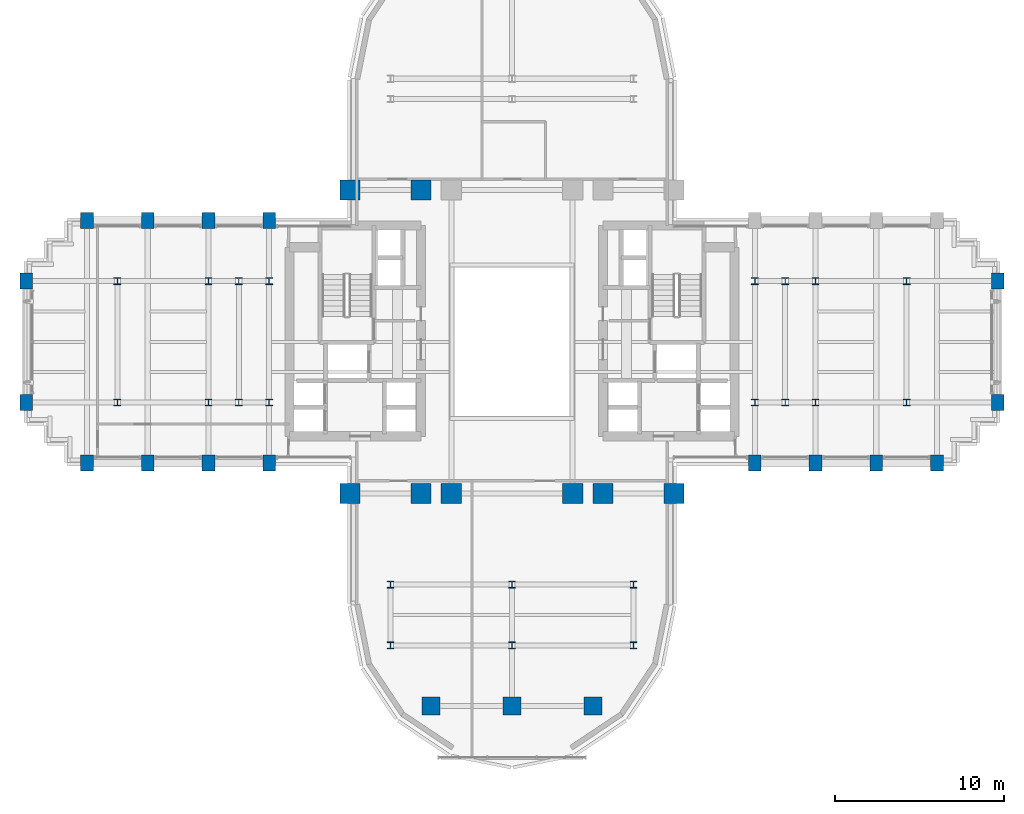
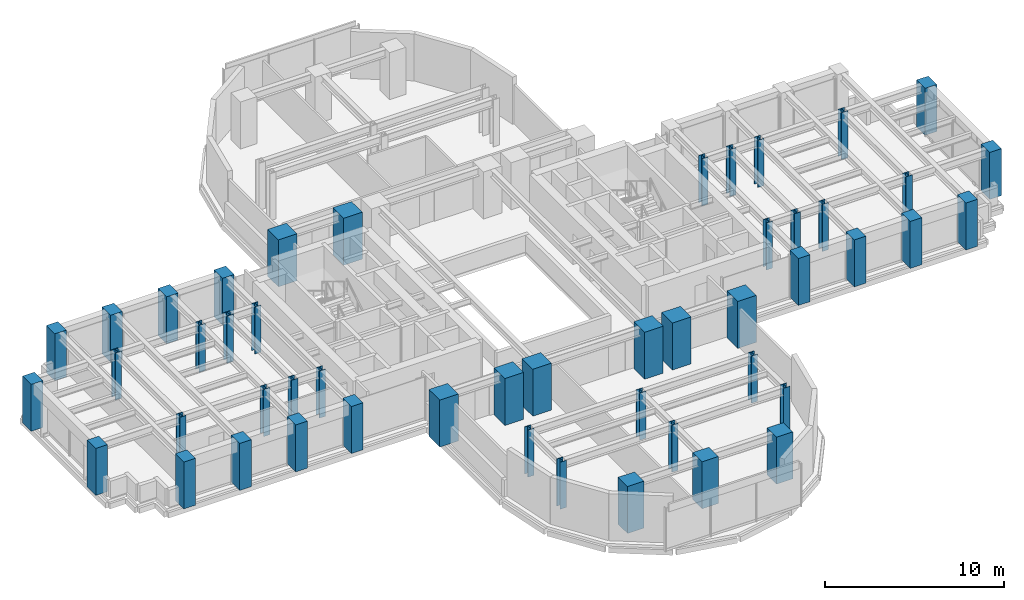
# One storey, part 1 of 16: 49 columns.
"""IFC4 building model written with IfcOpenShell, lengths in metres."""

from ifc_helpers import new_model, si_unit, direction, frame, origin, origin_2d, place, context, subcontext, project, spatial, rectangle, i_section, extrude, source, transform, mapped, material, material_profile, profile_set, type_object, element, save


model = new_model("IFC4")

# Units and contexts
model_context = context("Model", 3, precision=1e-05, world=origin(), true_north=direction((0.0, 1.0)))
body_context = subcontext(model_context, "Body", "Model", "MODEL_VIEW")
ifc_project = project(units=[si_unit("LENGTHUNIT", "METRE"), si_unit("AREAUNIT", "SQUARE_METRE"), si_unit("VOLUMEUNIT", "CUBIC_METRE"), si_unit("PLANEANGLEUNIT", "RADIAN"), si_unit("MASSUNIT", "GRAM", prefix="KILO")], contexts=[model_context])

# Site, building, storey
site_placement = place(None, origin())
site = spatial("IfcSite", under=ifc_project, at=site_placement, CompositionType="ELEMENT")
building_placement = place(site_placement, origin())
building = spatial("IfcBuilding", under=site, at=building_placement, Name="Keilestroom Media Tower", CompositionType="ELEMENT")
storey_placement = place(building_placement, frame((0.0, 0.0, 37.39990234375)))
storey = spatial("IfcBuildingStorey", under=building, at=storey_placement, Name="L08", CompositionType="ELEMENT", Elevation=37.39990234375)

# Columns
ifc_material_1 = material(Name="Precast concrete C40/50", Category="concrete")
ifc_material_profile_1 = material_profile(ifc_material_1, rectangle(XDim=0.75, YDim=0.949951171875, at=origin_2d()), Name="PC 950x750")
ifc_profile_set_1 = profile_set([ifc_material_profile_1], Name="Precast concrete C40/50")
column_type_1 = type_object("IfcColumnType", Name="Structural-Column-PC-950x750", PredefinedType="COLUMN", material=ifc_profile_set_1)
shared_shape_1 = source(origin(), body_context, "Body", "SweptSolid", [
    extrude(rectangle(XDim=0.75, YDim=0.949951171875, at=origin_2d()), origin(), (0.0, 0.0, 1.0), 3.2001953125),
])
for number, where, z_axis, x_axis, name in (
    (1, (-28.800048828125, -3.60009765625, 0.0), (0.0, 0.0, 1.0), (1.0, 0.0, 0.0), "L08 Column PC-1 (-28.8,-3.6)"),
    (2, (-28.800048828125, 3.60009765625, 0.0), (0.0, 0.0, 1.0), (1.0, 0.0, 0.0), "L08 Column PC-1 (-28.8,+3.6)"),
    (3, (-25.199951171875, -7.199951171875, 0.0), (0.0, 0.0, 1.0), (1.0, 0.0, 0.0), "L08 Column PC-1 (-25.2,-7.2)"),
    (4, (-25.199951171875, 7.199951171875, 0.0), (0.0, 0.0, 1.0), (1.0, 0.0, 0.0), "L08 Column PC-1 (-25.2,+7.2)"),
    (5, (-21.60009765625, -7.199951171875, 0.0), (0.0, 0.0, 1.0), (1.0, 0.0, 0.0), "L08 Column PC-1 (-21.6,-7.2)"),
    (6, (-21.60009765625, 7.199951171875, 0.0), (0.0, 0.0, 1.0), (1.0, 0.0, 0.0), "L08 Column PC-1 (-21.6,+7.2)"),
    (7, (-18.0, -7.199951171875, 0.0), (0.0, 0.0, 1.0), (1.0, 0.0, 0.0), "L08 Column PC-1 (-18.0,-7.2)"),
    (8, (-18.0, 7.199951171875, 0.0), (0.0, 0.0, 1.0), (1.0, 0.0, 0.0), "L08 Column PC-1 (-18.0,+7.2)"),
    (9, (-14.39990234375, -7.199951171875, 0.0), (0.0, 0.0, 1.0), (1.0, 0.0, 0.0), "L08 Column PC-1 (-14.4,-7.2)"),
    (10, (-14.39990234375, 7.199951171875, 0.0), (0.0, 0.0, 1.0), (1.0, 0.0, 0.0), "L08 Column PC-1 (-14.4,+7.2)"),
    (11, (14.39990234375, -7.199951171875, 0.0), (0.0, 0.0, 1.0), (1.0, 0.0, 0.0), "L08 Column PC-1 (+14.4,-7.2)"),
    (12, (18.0, -7.199951171875, 0.0), (0.0, 0.0, 1.0), (1.0, 0.0, 0.0), "L08 Column PC-1 (+18.0,-7.2)"),
    (13, (21.60009765625, -7.199951171875, 0.0), (0.0, 0.0, 1.0), (1.0, 0.0, 0.0), "L08 Column PC-1 (+21.6,-7.2)"),
    (14, (25.199951171875, -7.199951171875, 0.0), (0.0, 0.0, 1.0), (1.0, 0.0, 0.0), "L08 Column PC-1 (+25.2,-7.2)"),
    (15, (28.800048828125, -3.60009765625, 0.0), (0.0, 0.0, 1.0), (1.0, 0.0, 0.0), "L08 Column PC-1 (+28.8,-3.6)"),
    (16, (28.800048828125, 3.60009765625, 0.0), (0.0, 0.0, 1.0), (1.0, 0.0, 0.0), "L08 Column PC-1 (+28.8,+3.6)"),
):
    element("IfcColumn", number, at=place(storey_placement, frame(where, z_axis=z_axis, x_axis=x_axis)), inside=storey, type_object=column_type_1, Name=name, PredefinedType="COLUMN", context=body_context, shape_type="MappedRepresentation", body=[
        mapped(shared_shape_1, transform((0.0, 0.0, 0.0), x_axis=(1.0, 0.0, 0.0), y_axis=(0.0, 1.0, 0.0), z_axis=(0.0, 0.0, 1.0), scale=1.0)),
    ])
ifc_material_2 = material(Name="Steel S460", Category="steel")
ifc_material_profile_2 = material_profile(ifc_material_2, i_section(OverallWidth=0.404052734375, OverallDepth=0.406982421875, WebThickness=0.02197265625, FlangeThickness=0.035400390625, at=origin_2d()), Name="HD 400x347")
ifc_profile_set_2 = profile_set([ifc_material_profile_2], Name="Steel S460")
column_type_2 = type_object("IfcColumnType", Name="Structural-Column-HD-400x347", PredefinedType="COLUMN", material=ifc_profile_set_2)
shared_shape_2 = source(origin(), body_context, "Body", "SweptSolid", [
    extrude(i_section(OverallWidth=0.404052734375, OverallDepth=0.406982421875, WebThickness=0.02197265625, FlangeThickness=0.035400390625, at=origin_2d()), origin(), (0.0, 0.0, 1.0), 3.2001953125),
])
for number, where, z_axis, x_axis, name in (
    (17, (-23.39990234375, -3.60009765625, 0.0), (0.0, 0.0, 1.0), (1.0, 0.0, 0.0), "L08 Column SC-2 (-23.4,-3.6)"),
    (18, (-23.39990234375, 3.60009765625, 0.0), (0.0, 0.0, 1.0), (1.0, 0.0, 0.0), "L08 Column SC-2 (-23.4,+3.6)"),
    (19, (-18.0, -3.60009765625, 0.0), (0.0, 0.0, 1.0), (1.0, 0.0, 0.0), "L08 Column SC-2 (-18.0,-3.6)"),
    (20, (-18.0, 3.60009765625, 0.0), (0.0, 0.0, 1.0), (1.0, 0.0, 0.0), "L08 Column SC-2 (-18.0,+3.6)"),
    (21, (-16.199951171875, -3.60009765625, 0.0), (0.0, 0.0, 1.0), (1.0, 0.0, 0.0), "L08 Column SC-2 (-16.2,-3.6)"),
    (22, (-16.199951171875, 3.60009765625, 0.0), (0.0, 0.0, 1.0), (1.0, 0.0, 0.0), "L08 Column SC-2 (-16.2,+3.6)"),
    (23, (-14.39990234375, -3.60009765625, 0.0), (0.0, 0.0, 1.0), (1.0, 0.0, 0.0), "L08 Column SC-2 (-14.4,-3.6)"),
    (24, (-14.39990234375, 3.60009765625, 0.0), (0.0, 0.0, 1.0), (1.0, 0.0, 0.0), "L08 Column SC-2 (-14.4,+3.6)"),
    (25, (-7.199951171875, -18.0, 0.0), (0.0, 0.0, 1.0), (1.0, 0.0, 0.0), "L08 Column SC-2 (-7.2,-18.0)"),
    (26, (-7.199951171875, -14.39990234375, 0.0), (0.0, 0.0, 1.0), (1.0, 0.0, 0.0), "L08 Column SC-2 (-7.2,-14.4)"),
    (27, (0.0, -18.0, 0.0), (0.0, 0.0, 1.0), (1.0, 0.0, 0.0), "L08 Column SC-2 (+0.0,-18.0)"),
    (28, (0.0, -14.39990234375, 0.0), (0.0, 0.0, 1.0), (1.0, 0.0, 0.0), "L08 Column SC-2 (+0.0,-14.4)"),
    (29, (7.199951171875, -18.0, 0.0), (0.0, 0.0, 1.0), (1.0, 0.0, 0.0), "L08 Column SC-2 (+7.2,-18.0)"),
    (30, (7.199951171875, -14.39990234375, 0.0), (0.0, 0.0, 1.0), (1.0, 0.0, 0.0), "L08 Column SC-2 (+7.2,-14.4)"),
    (31, (14.39990234375, -3.60009765625, 0.0), (0.0, 0.0, 1.0), (1.0, 0.0, 0.0), "L08 Column SC-2 (+14.4,-3.6)"),
    (32, (14.39990234375, 3.60009765625, 0.0), (0.0, 0.0, 1.0), (1.0, 0.0, 0.0), "L08 Column SC-2 (+14.4,+3.6)"),
    (33, (16.199951171875, -3.60009765625, 0.0), (0.0, 0.0, 1.0), (1.0, 0.0, 0.0), "L08 Column SC-2 (+16.2,-3.6)"),
    (34, (16.199951171875, 3.60009765625, 0.0), (0.0, 0.0, 1.0), (1.0, 0.0, 0.0), "L08 Column SC-2 (+16.2,+3.6)"),
    (35, (18.0, -3.60009765625, 0.0), (0.0, 0.0, 1.0), (1.0, 0.0, 0.0), "L08 Column SC-2 (+18.0,-3.6)"),
    (36, (18.0, 3.60009765625, 0.0), (0.0, 0.0, 1.0), (1.0, 0.0, 0.0), "L08 Column SC-2 (+18.0,+3.6)"),
    (37, (23.39990234375, -3.60009765625, 0.0), (0.0, 0.0, 1.0), (1.0, 0.0, 0.0), "L08 Column SC-2 (+23.4,-3.6)"),
    (38, (23.39990234375, 3.60009765625, 0.0), (0.0, 0.0, 1.0), (1.0, 0.0, 0.0), "L08 Column SC-2 (+23.4,+3.6)"),
):
    element("IfcColumn", number, at=place(storey_placement, frame(where, z_axis=z_axis, x_axis=x_axis)), inside=storey, type_object=column_type_2, Name=name, PredefinedType="COLUMN", context=body_context, shape_type="MappedRepresentation", body=[
        mapped(shared_shape_2, transform((0.0, 0.0, 0.0), x_axis=(1.0, 0.0, 0.0), y_axis=(0.0, 1.0, 0.0), z_axis=(0.0, 0.0, 1.0), scale=1.0)),
    ])
ifc_material_3 = material(Name="Concrete C70/85", Category="concrete")
ifc_material_profile_3 = material_profile(ifc_material_3, rectangle(XDim=1.199951171875, YDim=1.199951171875, at=origin_2d()), Name="RC 1200x1200")
ifc_profile_set_3 = profile_set([ifc_material_profile_3], Name="Concrete C70/85")
column_type_3 = type_object("IfcColumnType", Name="Structural-Column-RC-1200x1200", PredefinedType="COLUMN", material=ifc_profile_set_3)
shared_shape_3 = source(origin(), body_context, "Body", "SweptSolid", [
    extrude(rectangle(XDim=1.199951171875, YDim=1.199951171875, at=origin_2d()), origin(), (0.0, 0.0, 1.0), 3.2001953125),
])
for number, where, z_axis, x_axis, name in (
    (39, (-9.60009765625, -9.0, 0.0), (0.0, 0.0, 1.0), (1.0, 0.0, 0.0), "L08 Column MC-2 (-9.6,-9.0)"),
    (40, (-9.60009765625, 9.0, 0.0), (0.0, 0.0, 1.0), (1.0, 0.0, 0.0), "L08 Column MC-2 (-9.6,+9.0)"),
    (41, (-5.39990234375, -9.0, 0.0), (0.0, 0.0, 1.0), (1.0, 0.0, 0.0), "L08 Column MC-2 (-5.4,-9.0)"),
    (42, (-5.39990234375, 9.0, 0.0), (0.0, 0.0, 1.0), (1.0, 0.0, 0.0), "L08 Column MC-2 (-5.4,+9.0)"),
    (43, (-3.60009765625, -9.0, 0.0), (0.0, 0.0, 1.0), (1.0, 0.0, 0.0), "L08 Column MC-2 (-3.6,-9.0)"),
    (44, (3.60009765625, -9.0, 0.0), (0.0, 0.0, 1.0), (1.0, 0.0, 0.0), "L08 Column MC-2 (+3.6,-9.0)"),
    (45, (5.39990234375, -9.0, 0.0), (0.0, 0.0, 1.0), (1.0, 0.0, 0.0), "L08 Column MC-2 (+5.4,-9.0)"),
    (46, (9.60009765625, -9.0, 0.0), (0.0, 0.0, 1.0), (1.0, 0.0, 0.0), "L08 Column MC-2 (+9.6,-9.0)"),
):
    element("IfcColumn", number, at=place(storey_placement, frame(where, z_axis=z_axis, x_axis=x_axis)), inside=storey, type_object=column_type_3, Name=name, PredefinedType="COLUMN", context=body_context, shape_type="MappedRepresentation", body=[
        mapped(shared_shape_3, transform((0.0, 0.0, 0.0), x_axis=(1.0, 0.0, 0.0), y_axis=(0.0, 1.0, 0.0), z_axis=(0.0, 0.0, 1.0), scale=1.0)),
    ])
ifc_material_4 = material(Name="Concrete C55/67", Category="concrete")
ifc_material_profile_4 = material_profile(ifc_material_4, rectangle(XDim=1.050048828125, YDim=1.050048828125, at=origin_2d()), Name="RC 1050x1050")
ifc_profile_set_4 = profile_set([ifc_material_profile_4], Name="Concrete C55/67")
column_type_4 = type_object("IfcColumnType", Name="Structural-Column-RC-1050x1050", PredefinedType="COLUMN", material=ifc_profile_set_4)
shared_shape_4 = source(origin(), body_context, "Body", "SweptSolid", [
    extrude(rectangle(XDim=1.050048828125, YDim=1.050048828125, at=origin_2d()), origin(), (0.0, 0.0, 1.0), 3.2001953125),
])
for number, where, z_axis, x_axis, name in (
    (47, (-4.800048828125, -21.60009765625, 0.0), (0.0, 0.0, 1.0), (1.0, 0.0, 0.0), "L08 Column MC-3 (-4.8,-21.6)"),
    (48, (0.0, -21.60009765625, 0.0), (0.0, 0.0, 1.0), (1.0, 0.0, 0.0), "L08 Column MC-3 (+0.0,-21.6)"),
    (49, (4.800048828125, -21.60009765625, 0.0), (0.0, 0.0, 1.0), (1.0, 0.0, 0.0), "L08 Column MC-3 (+4.8,-21.6)"),
):
    element("IfcColumn", number, at=place(storey_placement, frame(where, z_axis=z_axis, x_axis=x_axis)), inside=storey, type_object=column_type_4, Name=name, PredefinedType="COLUMN", context=body_context, shape_type="MappedRepresentation", body=[
        mapped(shared_shape_4, transform((0.0, 0.0, 0.0), x_axis=(1.0, 0.0, 0.0), y_axis=(0.0, 1.0, 0.0), z_axis=(0.0, 0.0, 1.0), scale=1.0)),
    ])

save(model, "model.ifc")
